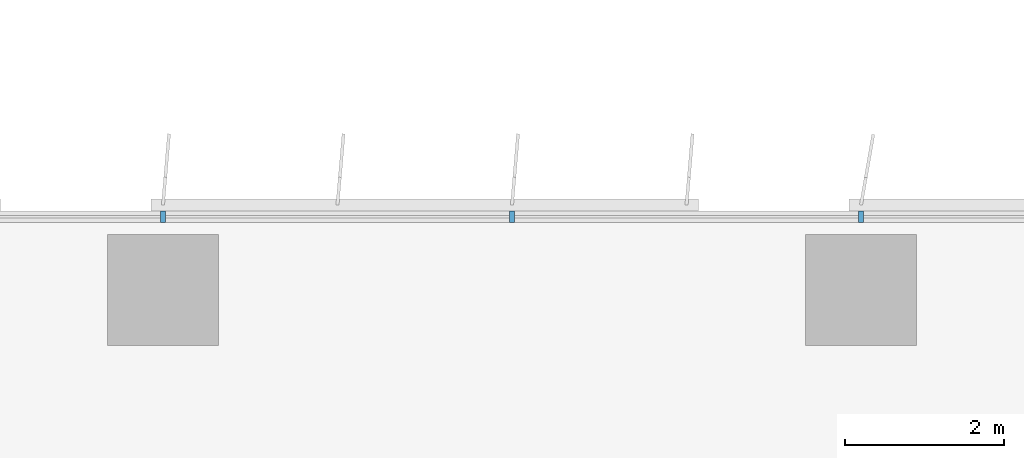
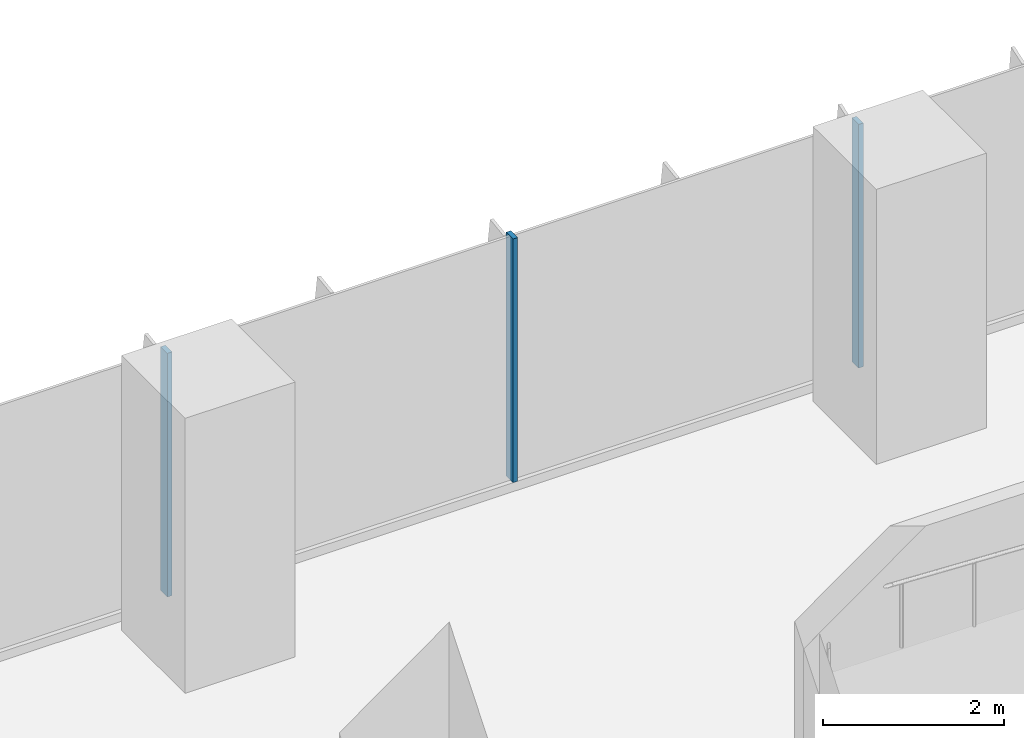
# One storey, part 4 of 24: 3 members, 1 element without a shape of its own.
"""IFC4 building model written with IfcOpenShell, lengths in metres."""

from ifc_helpers import new_model, si_unit, direction, frame, origin, origin_2d, place, context, subcontext, project, spatial, rectangle, extrude, source, transform, mapped, material, material_profile, profile_set, type_object, element, aggregate, save


model = new_model("IFC4")

# Units and contexts
model_context = context("Model", 3, precision=1e-05, world=origin(), true_north=direction((0.0, 1.0)))
body_context = subcontext(model_context, "Body", "Model", "MODEL_VIEW")
ifc_project = project(units=[si_unit("LENGTHUNIT", "METRE"), si_unit("AREAUNIT", "SQUARE_METRE"), si_unit("VOLUMEUNIT", "CUBIC_METRE"), si_unit("PLANEANGLEUNIT", "RADIAN"), si_unit("MASSUNIT", "GRAM", prefix="KILO")], contexts=[model_context])

# Site, building, storey
site_placement = place(None, origin())
site = spatial("IfcSite", under=ifc_project, at=site_placement, CompositionType="ELEMENT")
building_placement = place(site_placement, origin())
building = spatial("IfcBuilding", under=site, at=building_placement, Name="Kemantara Hotel Tower", CompositionType="ELEMENT")
storey_placement = place(building_placement, frame((0.0, 0.0, 63.60009765625)))
storey = spatial("IfcBuildingStorey", under=building, at=storey_placement, Name="L14", CompositionType="ELEMENT", Elevation=63.60009765625)

# Curtain wall, members
ifc_material_1 = material(Name="Low-E tinted double insulated glass 36 mm", Category="glass")
curtain_wall_type = type_object("IfcCurtainWallType", Name="TOWER CURTAIN WALL, FRONT FACES", PredefinedType="USERDEFINED", material=ifc_material_1)
curtain_wall_placement = place(storey_placement, origin())
curtain_wall = element("IfcCurtainWall", 1, at=curtain_wall_placement, inside=storey, type_object=curtain_wall_type, Name="CW4 L14 T1-R07-1", ObjectType="TOWER CURTAIN WALL, FRONT FACES", PredefinedType="USERDEFINED")
ifc_material_2 = material(Name="Aluminium 6063-T6 bronze anodised", Category="aluminium")
ifc_material_profile = material_profile(ifc_material_2, rectangle(XDim=0.14990234375, YDim=0.06005859375, at=origin_2d()), Name="TOWER CURTAIN WALL, FRONT FACES MULLION")
ifc_profile_set = profile_set([ifc_material_profile], Name="Aluminium 6063-T6 bronze anodised")
member_type = type_object("IfcMemberType", Name="TOWER CURTAIN WALL, FRONT FACES MULLION", PredefinedType="MULLION", material=ifc_profile_set)
shared_shape = source(origin(), body_context, "Body", "SweptSolid", [
    extrude(rectangle(XDim=0.14990234375, YDim=0.06005859375, at=origin_2d()), origin(), (0.0, 0.0, 1.0), 3.280029296875),
])
member_1_placement = place(storey_placement, frame((62.60009765625, 26.72509765625, 0.119873046875), z_axis=(0.0, 0.0, 1.0), x_axis=(0.0, -1.0, 0.0)))
member_1 = element("IfcMember", 2, at=member_1_placement, type_object=member_type, Name="CW4 mullion T1-R07-1.5", PredefinedType="MULLION", context=body_context, shape_type="MappedRepresentation", body=[
    mapped(shared_shape, transform((0.0, 0.0, 0.0))),
])
member_2_placement = place(storey_placement, frame((58.199951171875, 26.72509765625, 0.119873046875), z_axis=(0.0, 0.0, 1.0), x_axis=(0.0, -1.0, 0.0)))
member_2 = element("IfcMember", 3, at=member_2_placement, type_object=member_type, Name="CW4 mullion T1-R07-1.6", PredefinedType="MULLION", context=body_context, shape_type="MappedRepresentation", body=[
    mapped(shared_shape, transform((0.0, 0.0, 0.0))),
])
member_3_placement = place(storey_placement, frame((53.800048828125, 26.72509765625, 0.119873046875), z_axis=(0.0, 0.0, 1.0), x_axis=(0.0, -1.0, 0.0)))
member_3 = element("IfcMember", 4, at=member_3_placement, type_object=member_type, Name="CW4 mullion T1-R07-1.7", PredefinedType="MULLION", context=body_context, shape_type="MappedRepresentation", body=[
    mapped(shared_shape, transform((0.0, 0.0, 0.0))),
])
aggregate(curtain_wall, [member_1, member_2, member_3])

save(model, "model.ifc")
